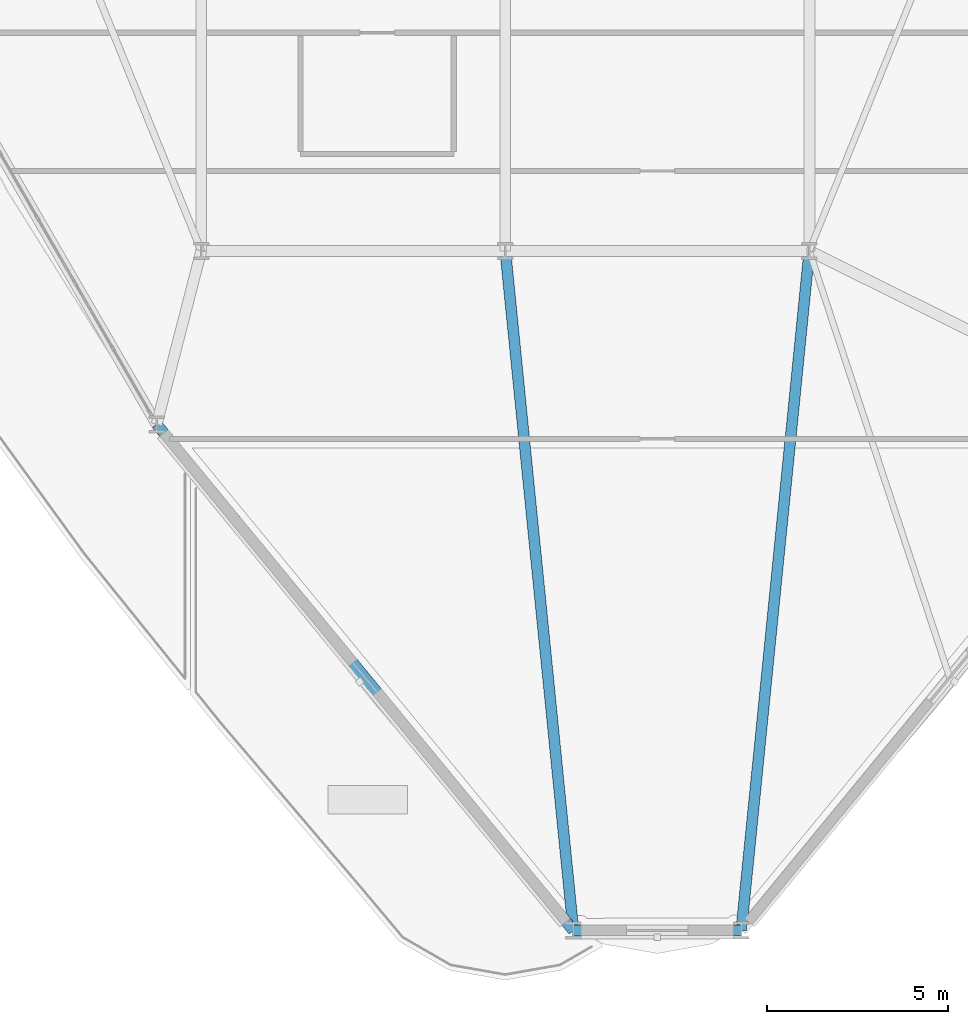
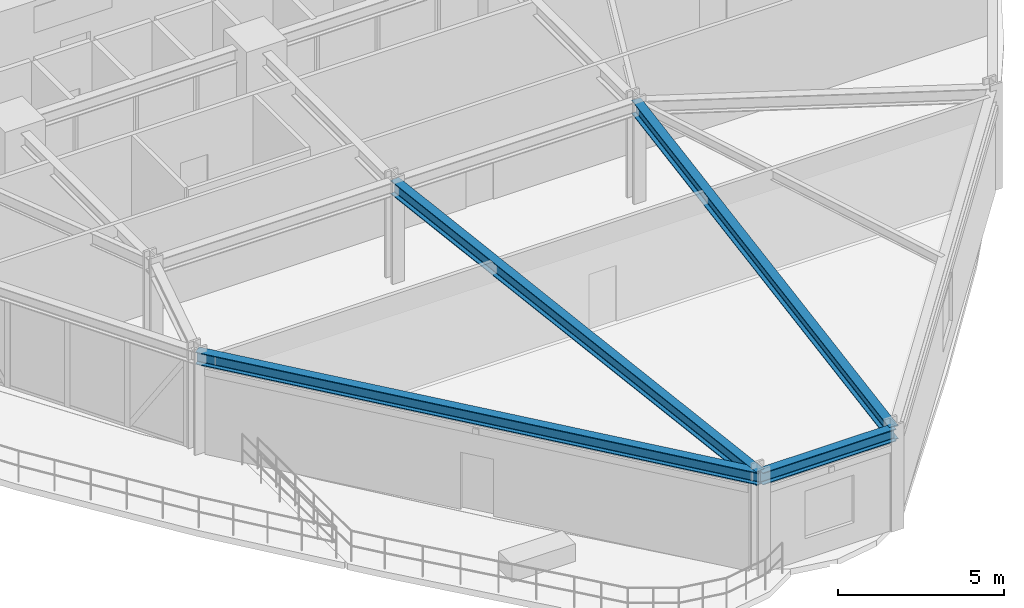
# One storey, part 3 of 21: 4 beams.
"""IFC4 building model written with IfcOpenShell, lengths in metres."""

from ifc_helpers import new_model, si_unit, derived_unit, direction, frame, origin, origin_2d, place, context, subcontext, project, spatial, i_section, extrude, source, transform, mapped, material, material_profile, profile_set, type_object, element, save


model = new_model("IFC4")

# Units and contexts
model_context = context("Model", 3, precision=1e-05, world=origin(), true_north=direction((0.0, 1.0)))
body_context = subcontext(model_context, "Body", "Model", "MODEL_VIEW")
ifc_project = project(units=[si_unit("LENGTHUNIT", "METRE"), si_unit("AREAUNIT", "SQUARE_METRE"), si_unit("VOLUMEUNIT", "CUBIC_METRE"), si_unit("PLANEANGLEUNIT", "RADIAN"), si_unit("MASSUNIT", "GRAM", prefix="KILO"), derived_unit("THERMALTRANSMITTANCEUNIT", [(si_unit("POWERUNIT", "WATT"), 1), (si_unit("LENGTHUNIT", "METRE"), -2), (si_unit("THERMODYNAMICTEMPERATUREUNIT", "KELVIN"), -1)])], contexts=[model_context])

# Site, building, storey
site_placement = place(None, origin())
site = spatial("IfcSite", under=ifc_project, at=site_placement, CompositionType="ELEMENT")
building_placement = place(site_placement, origin())
building = spatial("IfcBuilding", under=site, at=building_placement, Name="Korsvarv Bourse and Concert Hall", CompositionType="ELEMENT")
storey_placement = place(building_placement, frame((0.0, 0.0, 63.89990234375)))
storey = spatial("IfcBuildingStorey", under=building, at=storey_placement, Name="L15", CompositionType="ELEMENT", Elevation=63.89990234375)

# Beams
ifc_material = material(Name="Steel S355", Category="steel")
ifc_material_profile_1 = material_profile(ifc_material, i_section(OverallWidth=0.300048828125, OverallDepth=0.449951171875, WebThickness=0.013916015625, FlangeThickness=0.02587890625, FilletRadius=0.02099609375, at=origin_2d()), Name="HEB 450")
ifc_profile_set_1 = profile_set([ifc_material_profile_1], Name="Steel S355")
beam_type_1 = type_object("IfcBeamType", Name="BM-HEB450", PredefinedType="SPANDREL", material=ifc_profile_set_1)
shared_shape_1 = source(origin(), body_context, "Body", "SweptSolid", [
    extrude(i_section(OverallWidth=0.300048828125, OverallDepth=0.449951171875, WebThickness=0.013916015625, FlangeThickness=0.02587890625, FilletRadius=0.02099609375, at=origin_2d()), origin(), (0.0, 0.0, 1.0), 4.637939453125),
])
beam_1_placement = place(storey_placement, frame((37.881103515625, 5.218994140625, 3.455078125), z_axis=(1.0, 0.0, 0.0), x_axis=(0.0, 1.0, 0.0)))
element("IfcBeam", 1, at=beam_1_placement, inside=storey, type_object=beam_type_1, Name="L15 beam B-08", PredefinedType="SPANDREL", context=body_context, shape_type="MappedRepresentation", body=[
    mapped(shared_shape_1, transform((0.0, 0.0, 0.0), scale=1.0)),
])
shared_shape_2 = source(origin(), body_context, "Body", "SweptSolid", [
    extrude(i_section(OverallWidth=0.300048828125, OverallDepth=0.449951171875, WebThickness=0.013916015625, FlangeThickness=0.02587890625, FilletRadius=0.02099609375, at=origin_2d()), origin(), (0.0, 0.0, 1.0), 18.117431640625),
])
beam_2_placement = place(storey_placement, frame((26.36669921875, 19.206787109375, 3.455078125), z_axis=(0.635544282578, -0.772064417573, 0.0), x_axis=(0.772064417573, 0.635544282578, 0.0)))
element("IfcBeam", 2, at=beam_2_placement, inside=storey, type_object=beam_type_1, Name="L15 beam B-08", PredefinedType="SPANDREL", context=body_context, shape_type="MappedRepresentation", body=[
    mapped(shared_shape_2, transform((0.0, 0.0, 0.0), scale=1.0)),
])
ifc_material_profile_2 = material_profile(ifc_material, i_section(OverallWidth=0.300048828125, OverallDepth=0.5, WebThickness=0.014404296875, FlangeThickness=0.028076171875, FilletRadius=0.02392578125, at=origin_2d()), Name="HEB 500")
ifc_profile_set_2 = profile_set([ifc_material_profile_2], Name="Steel S355")
beam_type_2 = type_object("IfcBeamType", Name="BM-HEB500", PredefinedType="BEAM", material=ifc_profile_set_2)
shared_shape_3 = source(origin(), body_context, "Body", "SweptSolid", [
    extrude(i_section(OverallWidth=0.300048828125, OverallDepth=0.5, WebThickness=0.014404296875, FlangeThickness=0.028076171875, FilletRadius=0.02392578125, at=origin_2d()), origin(), (0.0, 0.0, 1.0), 18.875),
])
for number, where, z_axis, x_axis, name in (
    (3, (37.881103515625, 5.218994140625, 3.43017578125), (-0.09966123838, 0.995021425681, 0.0), (-0.995021425681, -0.09966123838, 0.0), "L15 beam B-07"),
    (4, (42.51904296875, 5.218994140625, 3.43017578125), (0.099648432208, 0.995022708263, 0.0), (-0.995022708263, 0.099648432208, 0.0), "L15 beam B-07"),
):
    element("IfcBeam", number, at=place(storey_placement, frame(where, z_axis=z_axis, x_axis=x_axis)), inside=storey, type_object=beam_type_2, Name=name, PredefinedType="BEAM", context=body_context, shape_type="MappedRepresentation", body=[
        mapped(shared_shape_3, transform((0.0, 0.0, 0.0), scale=1.0)),
    ])

save(model, "model.ifc")
